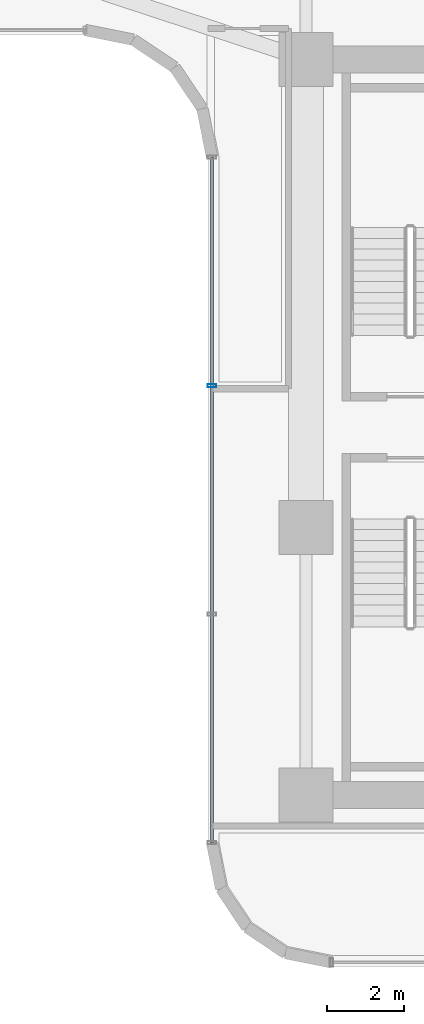
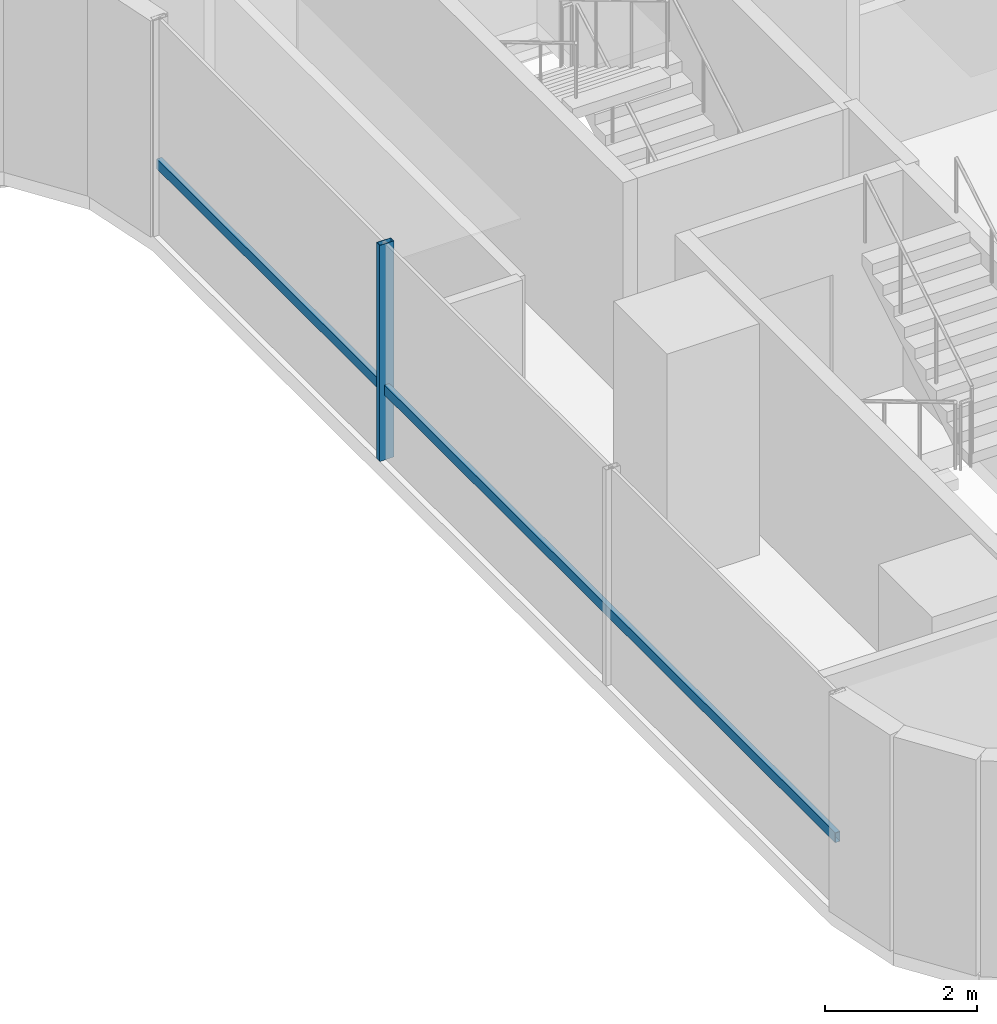
# One storey, part 15 of 41: 2 members, 1 element without a shape of its own.
"""IFC4 building model written with IfcOpenShell, lengths in metres."""

from ifc_helpers import new_model, si_unit, direction, frame, origin, origin_2d, place, context, subcontext, project, spatial, hollow_rectangle, extrude, source, transform, mapped, material, material_profile, profile_set, type_object, element, aggregate, save


model = new_model("IFC4")

# Units and contexts
model_context = context("Model", 3, precision=1e-05, world=origin(), true_north=direction((0.0, 1.0)))
body_context = subcontext(model_context, "Body", "Model", "MODEL_VIEW")
ifc_project = project(units=[si_unit("LENGTHUNIT", "METRE"), si_unit("AREAUNIT", "SQUARE_METRE"), si_unit("VOLUMEUNIT", "CUBIC_METRE"), si_unit("PLANEANGLEUNIT", "RADIAN"), si_unit("MASSUNIT", "GRAM", prefix="KILO")], contexts=[model_context])

# Site, building, storey
site_placement = place(None, origin())
site = spatial("IfcSite", under=ifc_project, at=site_placement, CompositionType="ELEMENT")
building_placement = place(site_placement, origin())
building = spatial("IfcBuilding", under=site, at=building_placement, Name="Valdorenza Pilgrim Sanctuary Tower", CompositionType="ELEMENT")
storey_placement = place(building_placement, frame((0.0, 0.0, 85.199951171875)))
storey = spatial("IfcBuildingStorey", under=building, at=storey_placement, Name="L21", CompositionType="ELEMENT", Elevation=85.199951171875)

# Curtain wall, members
ifc_material_1 = material(Name="Curtain-wall IGU glazing", Category="glass")
curtain_wall_type = type_object("IfcCurtainWallType", Name="CW-SYS-03", PredefinedType="NOTDEFINED", material=ifc_material_1)
curtain_wall_placement = place(storey_placement, origin())
curtain_wall = element("IfcCurtainWall", 1, at=curtain_wall_placement, inside=storey, type_object=curtain_wall_type, Name="L21 Curtain Wall CW-L21-1-31", PredefinedType="NOTDEFINED")
ifc_material_2 = material(Name="Anodised aluminium AW-6060", Category="aluminium")
ifc_material_profile_1 = material_profile(ifc_material_2, hollow_rectangle(XDim=0.0849609375, YDim=0.219970703125, WallThickness=0.0048828125, at=origin_2d()), Name="ALU-M 220x85x5")
ifc_profile_set_1 = profile_set([ifc_material_profile_1], Name="Anodised aluminium AW-6060")
member_type_1 = type_object("IfcMemberType", Name="CW-MUL-03", PredefinedType="MULLION", material=ifc_profile_set_1)
shared_shape_1 = source(origin(), body_context, "Body", "SweptSolid", [
    extrude(hollow_rectangle(XDim=0.0849609375, YDim=0.219970703125, WallThickness=0.0048828125, at=origin_2d()), origin(), (0.0, 0.0, 1.0), 3.4599609375),
])
member_1_placement = place(storey_placement, frame((13.409912109375, 1.077392578125, 0.0), z_axis=(0.0, 0.0, 1.0), x_axis=(0.0, 1.0, 0.0)))
member_1 = element("IfcMember", 2, at=member_1_placement, type_object=member_type_1, Name="CW-L21-1-31 Mullion 3", PredefinedType="MULLION", context=body_context, shape_type="MappedRepresentation", body=[
    mapped(shared_shape_1, transform((0.0, 0.0, 0.0), x_axis=(1.0, 0.0, 0.0), y_axis=(0.0, 1.0, 0.0), z_axis=(0.0, 0.0, 1.0), scale=1.0)),
])
ifc_material_profile_2 = material_profile(ifc_material_2, hollow_rectangle(XDim=0.074951171875, YDim=0.159912109375, WallThickness=0.00390625, at=origin_2d()), Name="ALU-T 160x75x4")
ifc_profile_set_2 = profile_set([ifc_material_profile_2], Name="Anodised aluminium AW-6060")
member_type_2 = type_object("IfcMemberType", Name="CW-TRN-03", PredefinedType="USERDEFINED", material=ifc_profile_set_2)
shared_shape_2 = source(origin(), body_context, "Body", "SweptSolid", [
    extrude(hollow_rectangle(XDim=0.074951171875, YDim=0.159912109375, WallThickness=0.00390625, at=origin_2d()), origin(), (0.0, 0.0, 1.0), 17.800048828125),
])
member_2_placement = place(storey_placement, frame((13.409912109375, -10.789306640625, 1.1201171875), z_axis=(0.0, 1.0, 0.0), x_axis=(-1.0, 0.0, 0.0)))
member_2 = element("IfcMember", 3, at=member_2_placement, type_object=member_type_2, Name="CW-L21-1-31 Transom 1", ObjectType="TRANSOM", PredefinedType="USERDEFINED", context=body_context, shape_type="MappedRepresentation", body=[
    mapped(shared_shape_2, transform((0.0, 0.0, 0.0), x_axis=(1.0, 0.0, 0.0), y_axis=(0.0, 1.0, 0.0), z_axis=(0.0, 0.0, 1.0), scale=1.0)),
])
aggregate(curtain_wall, [member_1, member_2])

save(model, "model.ifc")
